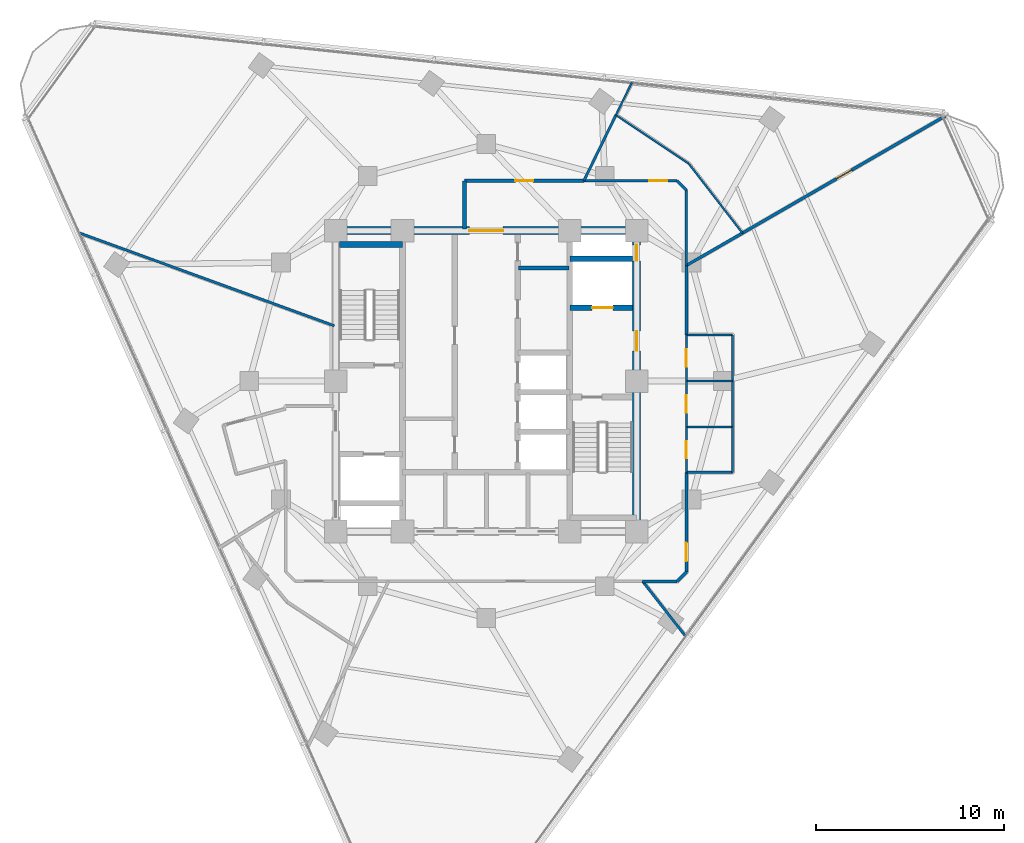
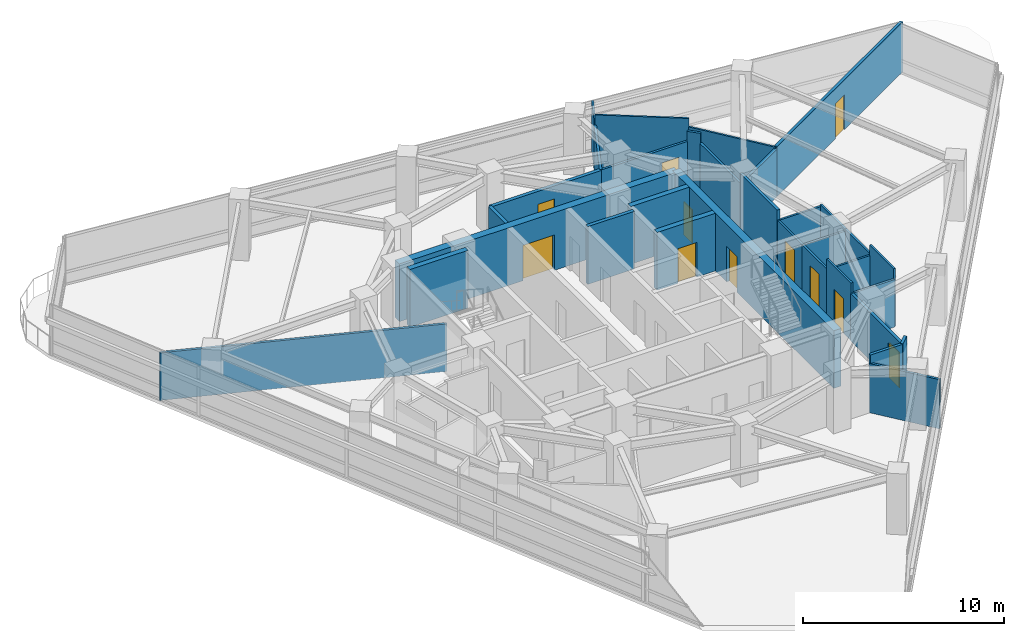
# One storey, part 9 of 14: 33 walls, 11 doors, 11 openings.
"""IFC4 building model written with IfcOpenShell, lengths in metres."""

from ifc_helpers import new_model, si_unit, direction, frame, frame_2d, origin, place, context, subcontext, project, spatial, rectangle, extrude, material, layer, layer_set, type_object, element, fill, save


model = new_model("IFC4")

# Units and contexts
model_context = context("Model", 3, precision=1e-05, world=origin(), true_north=direction((0.0, 1.0)))
body_context = subcontext(model_context, "Body", "Model", "MODEL_VIEW")
ifc_project = project(units=[si_unit("LENGTHUNIT", "METRE"), si_unit("AREAUNIT", "SQUARE_METRE"), si_unit("VOLUMEUNIT", "CUBIC_METRE"), si_unit("PLANEANGLEUNIT", "RADIAN"), si_unit("MASSUNIT", "GRAM", prefix="KILO")], contexts=[model_context])

# Site, building, storey
site_placement = place(None, origin())
site = spatial("IfcSite", under=ifc_project, at=site_placement, CompositionType="ELEMENT")
building_placement = place(site_placement, origin())
building = spatial("IfcBuilding", under=site, at=building_placement, Name="Terralouvre Media Tower", CompositionType="ELEMENT")
storey_placement = place(building_placement, frame((0.0, 0.0, 241.10009765625)))
storey = spatial("IfcBuildingStorey", under=building, at=storey_placement, Name="L62", CompositionType="ELEMENT", Elevation=241.10009765625)

# Wall
ifc_material_1 = material(Name="Concrete C50/60", Category="concrete")
ifc_layer_1 = layer(ifc_material_1, 0.300048828125, Name="Core Internal Shaft Wall CW-300")
ifc_layer_set_1 = layer_set([ifc_layer_1], Name="Concrete C50/60")
wall_type_1 = type_object("IfcWallType", Name="Core Internal Shaft Wall CW-300", PredefinedType="SHEAR", material=ifc_layer_set_1)
wall_1_placement = place(storey_placement, frame((-7.7900390625, 7.260009765625, 0.0), z_axis=(0.0, 0.0, 1.0), x_axis=(1.0, 0.0, 0.0)))
element("IfcWall", 1, at=wall_1_placement, inside=storey, type_object=wall_type_1, Name="L62 Core Shaft Wall ST1F", PredefinedType="SHEAR", context=body_context, shape_type="SweptSolid", body=[
    extrude(rectangle(XDim=3.340087890625, YDim=0.300048828125, at=frame_2d((1.669921875, 0.0))), origin(), (0.0, 0.0, 1.0), 3.5),
])

# Wall, opening, door
wall_2_placement = place(storey_placement, frame((4.449951171875, 3.89990234375, 0.0), z_axis=(0.0, 0.0, 1.0), x_axis=(1.0, 0.0, 0.0)))
wall_2 = element("IfcWall", 2, at=wall_2_placement, inside=storey, type_object=wall_type_1, Name="L62 Core Shaft Wall FF2S", PredefinedType="SHEAR", context=body_context, shape_type="SweptSolid", body=[
    extrude(rectangle(XDim=3.340087890625, YDim=0.300048828125, at=frame_2d((1.669921875, 0.0))), origin(), (0.0, 0.0, 1.0), 3.5),
])
opening_1_placement = place(wall_2_placement, frame((1.179931640625, 0.0, 0.0)))
opening_1 = element("IfcOpeningElement", 3, at=opening_1_placement, cuts=wall_2, Name="Opening LD-FF", PredefinedType="OPENING", context=body_context, shape_type="SweptSolid", body=[
    extrude(rectangle(XDim=1.10009765625, YDim=2.10009765625, at=frame_2d((0.550048828125, 1.050048828125))), frame((0.0, 0.159912109375, 0.0), z_axis=(0.0, -1.0, 0.0), x_axis=(1.0, 0.0, 0.0)), (0.0, 0.0, 1.0), 0.320068359375),
])
ifc_material_2 = material(Name="Stainless steel 316 handrail and balustrade", Category="steel")
door_type_1 = type_object("IfcDoorType", Name="Firefighting Lift Sliding Landing Door LD-FF", OperationType="SLIDING_TO_LEFT", PredefinedType="DOOR", material=ifc_material_2)
door_1_placement = place(opening_1_placement, origin())
door_1 = element("IfcDoor", 4, at=door_1_placement, inside=storey, type_object=door_type_1, Name="L62 Firefighting Lift FFL-02 Landing Door", OperationType="SLIDING_TO_LEFT", OverallHeight=2.10009765625, OverallWidth=1.10009765625, PredefinedType="DOOR", context=body_context, shape_type="SweptSolid", body=[
    extrude(rectangle(XDim=1.10009765625, YDim=2.10009765625, at=frame_2d((0.550048828125, 1.050048828125))), frame((0.0, 0.02490234375, 0.0), z_axis=(0.0, -1.0, 0.0), x_axis=(1.0, 0.0, 0.0)), (0.0, 0.0, 1.0), 0.050048828125),
])
fill(opening_1, door_1)

# Wall
wall_3_placement = place(storey_placement, frame((4.449951171875, 6.5, 0.0), z_axis=(0.0, 0.0, 1.0), x_axis=(1.0, 0.0, 0.0)))
element("IfcWall", 5, at=wall_3_placement, inside=storey, type_object=wall_type_1, Name="L62 Core Shaft Wall FF2N", PredefinedType="SHEAR", context=body_context, shape_type="SweptSolid", body=[
    extrude(rectangle(XDim=3.340087890625, YDim=0.300048828125, at=frame_2d((1.669921875, 0.0))), origin(), (0.0, 0.0, 1.0), 3.5),
])

# Wall, openings, doors
ifc_material_3 = material(Name="Concrete C60/75", Category="concrete")
ifc_layer_2 = layer(ifc_material_3, 0.419921875, Name="Core Reinforced Concrete Shear Wall CW-420")
ifc_layer_set_2 = layer_set([ifc_layer_2], Name="Concrete C60/75")
wall_type_2 = type_object("IfcWallType", Name="Core Reinforced Concrete Shear Wall CW-420", PredefinedType="SHEAR", material=ifc_layer_set_2)
wall_4_placement = place(storey_placement, frame((8.0, -8.0, 0.0), z_axis=(0.0, 0.0, 1.0), x_axis=(0.0, 1.0, 0.0)))
wall_4 = element("IfcWall", 6, at=wall_4_placement, inside=storey, type_object=wall_type_2, Name="L62 E Core Shear Wall", PredefinedType="SHEAR", context=body_context, shape_type="SweptSolid", body=[
    extrude(rectangle(XDim=16.0, YDim=0.419921875, at=frame_2d((8.0, 0.0))), origin(), (0.0, 0.0, 1.0), 3.5),
])
opening_2_placement = place(wall_4_placement, frame((9.60009765625, 0.0, 0.0)))
opening_2 = element("IfcOpeningElement", 7, at=opening_2_placement, cuts=wall_4, Name="Opening FD-01-105X215", PredefinedType="OPENING", context=body_context, shape_type="SweptSolid", body=[
    extrude(rectangle(XDim=1.050048828125, YDim=2.14990234375, at=frame_2d((0.52490234375, 1.074951171875))), frame((0.0, 0.219970703125, 0.0), z_axis=(0.0, -1.0, 0.0), x_axis=(1.0, 0.0, 0.0)), (0.0, 0.0, 1.0), 0.43994140625),
])
opening_3_placement = place(wall_4_placement, frame((14.388671875, 0.0, 0.0)))
opening_3 = element("IfcOpeningElement", 8, at=opening_3_placement, cuts=wall_4, Name="Opening TD-R1", PredefinedType="OPENING", context=body_context, shape_type="SweptSolid", body=[
    extrude(rectangle(XDim=0.85009765625, YDim=2.02001953125, at=frame_2d((0.425048828125, 1.010009765625))), frame((0.0, 0.219970703125, 0.0), z_axis=(0.0, -1.0, 0.0), x_axis=(1.0, 0.0, 0.0)), (0.0, 0.0, 1.0), 0.43994140625),
])
ifc_material_4 = material(Name="Galvanised steel fire-resisting leaf", Category="steel")
door_type_2 = type_object("IfcDoorType", Name="Riser Inspection Access Trapdoor TD-R1", OperationType="NOTDEFINED", PredefinedType="TRAPDOOR", material=ifc_material_4)
door_2_placement = place(opening_3_placement, origin())
door_2 = element("IfcDoor", 9, at=door_2_placement, inside=storey, type_object=door_type_2, Name="L62 East Comms Riser Access Trapdoor", OperationType="SINGLE_SWING_RIGHT", OverallHeight=2.02001953125, OverallWidth=0.85009765625, PredefinedType="TRAPDOOR", context=body_context, shape_type="SweptSolid", body=[
    extrude(rectangle(XDim=0.85009765625, YDim=2.02001953125, at=frame_2d((0.425048828125, 1.010009765625))), frame((0.0, 0.02490234375, 0.0), z_axis=(0.0, -1.0, 0.0), x_axis=(1.0, 0.0, 0.0)), (0.0, 0.0, 1.0), 0.050048828125),
])
fill(opening_3, door_2)
ifc_material_5 = material(Name="Galvanised steel fire-resisting leaf", Category="steel")
door_type_3 = type_object("IfcDoorType", Name="Stair and Firefighting Lobby Fire Door FD-01 (1050x2150)", OperationType="NOTDEFINED", PredefinedType="DOOR", material=ifc_material_5)
door_3_placement = place(opening_2_placement, origin())
door_3 = element("IfcDoor", 10, at=door_3_placement, inside=storey, type_object=door_type_3, Name="L62 East Firefighting Lobby Entry Door", OperationType="SINGLE_SWING_LEFT", OverallHeight=2.14990234375, OverallWidth=1.050048828125, PredefinedType="DOOR", context=body_context, shape_type="SweptSolid", body=[
    extrude(rectangle(XDim=1.050048828125, YDim=2.14990234375, at=frame_2d((0.52490234375, 1.074951171875))), frame((0.0, 0.02490234375, 0.0), z_axis=(0.0, -1.0, 0.0), x_axis=(1.0, 0.0, 0.0)), (0.0, 0.0, 1.0), 0.050048828125),
])
fill(opening_2, door_3)

# Wall, opening, door
wall_5_placement = place(storey_placement, frame((-8.0, 8.0, 0.0), z_axis=(0.0, 0.0, 1.0), x_axis=(1.0, 0.0, 0.0)))
wall_5 = element("IfcWall", 11, at=wall_5_placement, inside=storey, type_object=wall_type_2, Name="L62 N Core Shear Wall", PredefinedType="SHEAR", context=body_context, shape_type="SweptSolid", body=[
    extrude(rectangle(XDim=16.0, YDim=0.419921875, at=frame_2d((8.0, 0.0))), origin(), (0.0, 0.0, 1.0), 3.5),
])
opening_4_placement = place(wall_5_placement, frame((7.10009765625, 0.0, 0.0)))
opening_4 = element("IfcOpeningElement", 12, at=opening_4_placement, cuts=wall_5, Name="Opening FD-03", PredefinedType="OPENING", context=body_context, shape_type="SweptSolid", body=[
    extrude(rectangle(XDim=1.800048828125, YDim=2.14990234375, at=frame_2d((0.89990234375, 1.074951171875))), frame((0.0, 0.219970703125, 0.0), z_axis=(0.0, -1.0, 0.0), x_axis=(1.0, 0.0, 0.0)), (0.0, 0.0, 1.0), 0.43994140625),
])
ifc_material_6 = material(Name="Galvanised steel fire-resisting leaf", Category="steel")
door_type_4 = type_object("IfcDoorType", Name="Corridor Smoke-Control Double Door FD-03", OperationType="DOUBLE_DOOR_SINGLE_SWING", PredefinedType="DOOR", material=ifc_material_6)
door_4_placement = place(opening_4_placement, origin())
door_4 = element("IfcDoor", 13, at=door_4_placement, inside=storey, type_object=door_type_4, Name="L62 Central Lift Lobby Portal Door", OperationType="DOUBLE_DOOR_SINGLE_SWING", OverallHeight=2.14990234375, OverallWidth=1.800048828125, PredefinedType="DOOR", context=body_context, shape_type="SweptSolid", body=[
    extrude(rectangle(XDim=1.800048828125, YDim=2.14990234375, at=frame_2d((0.89990234375, 1.074951171875))), frame((0.0, 0.02490234375, 0.0), z_axis=(0.0, -1.0, 0.0), x_axis=(1.0, 0.0, 0.0)), (0.0, 0.0, 1.0), 0.050048828125),
])
fill(opening_4, door_4)

# Walls
ifc_material_7 = material(Name="Low-iron laminated double glazing with solar-control coating", Category="glass")
ifc_layer_3 = layer(ifc_material_7, 0.10009765625, Name="Demountable Glazed Office Partition PT-GL100")
ifc_layer_set_3 = layer_set([ifc_layer_3], Name="Low-iron laminated double glazing with solar-control coating")
wall_type_3 = type_object("IfcWallType", Name="Demountable Glazed Office Partition PT-GL100", PredefinedType="MOVABLE", material=ifc_layer_set_3)
wall_6_placement = place(storey_placement, frame((6.89892578125, 14.14501953125, 0.0), z_axis=(0.0, 0.0, 1.0), x_axis=(0.831510168033, -0.555509532283, 0.0)))
element("IfcWall", 14, at=wall_6_placement, inside=storey, type_object=wall_type_3, Name="L62 Interior Partition 039", PredefinedType="MOVABLE", context=body_context, shape_type="SweptSolid", body=[
    extrude(rectangle(XDim=4.66259765625, YDim=0.10009765625, at=frame_2d((2.331298828125, 0.0))), origin(), (0.0, 0.0, 1.0), 3.5),
])
wall_7_placement = place(storey_placement, frame((10.77587890625, 11.554931640625, 0.0), z_axis=(0.0, 0.0, 1.0), x_axis=(0.612213330569, -0.790692631731, 0.0)))
element("IfcWall", 15, at=wall_7_placement, inside=storey, type_object=wall_type_3, Name="L62 Interior Partition 040", PredefinedType="MOVABLE", context=body_context, shape_type="SweptSolid", body=[
    extrude(rectangle(XDim=4.661865234375, YDim=0.10009765625, at=frame_2d((2.3310546875, 0.0))), origin(), (0.0, 0.0, 1.0), 2.98486328125),
])
wall_8_placement = place(storey_placement, frame((7.74658203125, 15.882080078125, 0.0), z_axis=(0.0, 0.0, 1.0), x_axis=(-0.438553034404, -0.898705310998, 0.0)))
element("IfcWall", 16, at=wall_8_placement, inside=storey, type_object=wall_type_3, Name="L62 Interior Partition 041", PredefinedType="MOVABLE", context=body_context, shape_type="SweptSolid", body=[
    extrude(rectangle(XDim=1.932861328125, YDim=0.10009765625, at=frame_2d((0.96630859375, 0.0))), origin(), (0.0, 0.0, 1.0), 3.034912109375),
])
ifc_material_8 = material(Name="Fire-rated gypsum board drywall partition")
ifc_layer_4 = layer(ifc_material_8, 0.199951171875, Name="Fire-Rated Shaft and Lobby Partition FW-200")
ifc_layer_set_4 = layer_set([ifc_layer_4], Name="Fire-rated gypsum board drywall partition")
wall_type_4 = type_object("IfcWallType", Name="Fire-Rated Shaft and Lobby Partition FW-200", PredefinedType="SOLIDWALL", material=ifc_layer_set_4)
wall_9_placement = place(storey_placement, frame((1.719970703125, 6.010009765625, 0.0), z_axis=(0.0, 0.0, 1.0), x_axis=(1.0, 0.0, 0.0)))
element("IfcWall", 17, at=wall_9_placement, inside=storey, type_object=wall_type_4, Name="L62 Core East Sub-Partition 1", PredefinedType="SOLIDWALL", context=body_context, shape_type="SweptSolid", body=[
    extrude(rectangle(XDim=2.679931640625, YDim=0.199951171875, at=frame_2d((1.33984375, 0.0))), origin(), (0.0, 0.0, 1.0), 3.5),
])

# Wall, opening, door
wall_10_placement = place(storey_placement, frame((5.194091796875, 10.64990234375, 0.0), z_axis=(0.0, 0.0, 1.0), x_axis=(-1.0, 0.0, 0.0)))
wall_10 = element("IfcWall", 18, at=wall_10_placement, inside=storey, type_object=wall_type_4, Name="L62 Interior Partition 020", PredefinedType="SOLIDWALL", context=body_context, shape_type="SweptSolid", body=[
    extrude(rectangle(XDim=6.343994140625, YDim=0.199951171875, at=frame_2d((3.171875, 0.0))), origin(), (0.0, 0.0, 1.0), 2.885009765625),
])
opening_5_placement = place(wall_10_placement, frame((2.697021484375, 0.0, 0.0)))
opening_5 = element("IfcOpeningElement", 19, at=opening_5_placement, cuts=wall_10, Name="Opening FD-02-95X210", PredefinedType="OPENING", context=body_context, shape_type="SweptSolid", body=[
    extrude(rectangle(XDim=0.949951171875, YDim=2.10009765625, at=frame_2d((0.47509765625, 1.050048828125))), frame((0.0, 0.10986328125, 0.0), z_axis=(0.0, -1.0, 0.0), x_axis=(1.0, 0.0, 0.0)), (0.0, 0.0, 1.0), 0.219970703125),
])
ifc_material_9 = material(Name="Galvanised steel fire-resisting leaf", Category="steel")
door_type_5 = type_object("IfcDoorType", Name="Plant and Riser Fire Door FD-02 (950x2100)", OperationType="NOTDEFINED", PredefinedType="DOOR", material=ifc_material_9)
door_5_placement = place(opening_5_placement, origin())
door_5 = element("IfcDoor", 20, at=door_5_placement, inside=storey, type_object=door_type_5, Name="L62 Broadcast Replay Server Room 8 Door", OperationType="SINGLE_SWING_RIGHT", OverallHeight=2.10009765625, OverallWidth=0.949951171875, PredefinedType="DOOR", context=body_context, shape_type="SweptSolid", body=[
    extrude(rectangle(XDim=0.949951171875, YDim=2.10009765625, at=frame_2d((0.47509765625, 1.050048828125))), frame((0.0, 0.02490234375, 0.0), z_axis=(0.0, -1.0, 0.0), x_axis=(1.0, 0.0, 0.0)), (0.0, 0.0, 1.0), 0.050048828125),
])
fill(opening_5, door_5)

# Walls
wall_11_placement = place(storey_placement, frame((-1.14990234375, 10.64990234375, 0.0), z_axis=(0.0, 0.0, 1.0), x_axis=(0.0, -1.0, 0.0)))
element("IfcWall", 21, at=wall_11_placement, inside=storey, type_object=wall_type_4, Name="L62 Interior Partition 021", PredefinedType="SOLIDWALL", context=body_context, shape_type="SweptSolid", body=[
    extrude(rectangle(XDim=2.56982421875, YDim=0.199951171875, at=frame_2d((1.284912109375, 0.0))), origin(), (0.0, 0.0, 1.0), 2.885009765625),
])
ifc_material_10 = material(Name="Fire-rated gypsum board drywall partition")
ifc_layer_5 = layer(ifc_material_10, 0.135009765625, Name="Newsroom Acoustic Partition PT-135")
ifc_layer_set_5 = layer_set([ifc_layer_5], Name="Fire-rated gypsum board drywall partition")
wall_type_5 = type_object("IfcWallType", Name="Newsroom Acoustic Partition PT-135", PredefinedType="PARTITIONING", material=ifc_layer_set_5)
wall_12_placement = place(storey_placement, frame((10.64990234375, 6.14892578125, 0.0), z_axis=(0.0, 0.0, 1.0), x_axis=(0.0, 1.0, 0.0)))
element("IfcWall", 22, at=wall_12_placement, inside=storey, type_object=wall_type_5, Name="L62 Interior Partition 017", PredefinedType="PARTITIONING", context=body_context, shape_type="SweptSolid", body=[
    extrude(rectangle(XDim=4.0009765625, YDim=0.135009765625, at=frame_2d((2.00048828125, 0.0))), origin(), (0.0, 0.0, 1.0), 2.885009765625),
])
wall_13_placement = place(storey_placement, frame((10.64990234375, 10.14990234375, 0.0), z_axis=(0.0, 0.0, 1.0), x_axis=(-0.707106781187, 0.707106781187, 0.0)))
element("IfcWall", 23, at=wall_13_placement, inside=storey, type_object=wall_type_5, Name="L62 Interior Partition 018", PredefinedType="PARTITIONING", context=body_context, shape_type="SweptSolid", body=[
    extrude(rectangle(XDim=0.70703125, YDim=0.135009765625, at=frame_2d((0.353515625, 0.0))), origin(), (0.0, 0.0, 1.0), 3.5),
])

# Wall, opening, door
wall_14_placement = place(storey_placement, frame((10.14990234375, 10.64990234375, 0.0), z_axis=(0.0, 0.0, 1.0), x_axis=(-1.0, 0.0, 0.0)))
wall_14 = element("IfcWall", 24, at=wall_14_placement, inside=storey, type_object=wall_type_5, Name="L62 Interior Partition 019", PredefinedType="PARTITIONING", context=body_context, shape_type="SweptSolid", body=[
    extrude(rectangle(XDim=4.955810546875, YDim=0.135009765625, at=frame_2d((2.47802734375, 0.0))), origin(), (0.0, 0.0, 1.0), 2.885009765625),
])
opening_6_placement = place(wall_14_placement, frame((0.51611328125, 0.0, 0.0)))
opening_6 = element("IfcOpeningElement", 25, at=opening_6_placement, cuts=wall_14, Name="Opening ID-02-95X210", PredefinedType="OPENING", context=body_context, shape_type="SweptSolid", body=[
    extrude(rectangle(XDim=0.949951171875, YDim=2.10009765625, at=frame_2d((0.47509765625, 1.050048828125))), frame((0.0, 0.077392578125, 0.0), z_axis=(0.0, -1.0, 0.0), x_axis=(1.0, 0.0, 0.0)), (0.0, 0.0, 1.0), 0.155029296875),
])
ifc_material_11 = material(Name="Engineered hardwood acoustic timber leaf", Category="wood")
door_type_6 = type_object("IfcDoorType", Name="Office and Meeting Room Door ID-02 (950x2100)", OperationType="NOTDEFINED", PredefinedType="DOOR", material=ifc_material_11)
door_6_placement = place(opening_6_placement, origin())
door_6 = element("IfcDoor", 26, at=door_6_placement, inside=storey, type_object=door_type_6, Name="L62 Presenter Makeup and Wardrobe Closet 7 Door", OperationType="SINGLE_SWING_LEFT", OverallHeight=2.10009765625, OverallWidth=0.949951171875, PredefinedType="DOOR", context=body_context, shape_type="SweptSolid", body=[
    extrude(rectangle(XDim=0.949951171875, YDim=2.10009765625, at=frame_2d((0.47509765625, 1.050048828125))), frame((0.0, 0.02490234375, 0.0), z_axis=(0.0, -1.0, 0.0), x_axis=(1.0, 0.0, 0.0)), (0.0, 0.0, 1.0), 0.050048828125),
])
fill(opening_6, door_6)

# Walls
wall_15_placement = place(storey_placement, frame((-8.080078125, 2.940673828125, 0.0), z_axis=(0.0, 0.0, 1.0), x_axis=(-0.939685602892, 0.342039424216, 0.0)))
element("IfcWall", 27, at=wall_15_placement, inside=storey, type_object=wall_type_5, Name="L62 Interior Partition 024", PredefinedType="PARTITIONING", context=body_context, shape_type="SweptSolid", body=[
    extrude(rectangle(XDim=14.484619140625, YDim=0.135009765625, at=frame_2d((7.2421875, 0.0))), origin(), (0.0, 0.0, 1.0), 2.885009765625),
])
wall_16_placement = place(storey_placement, frame((10.634765625, -13.612060546875, 0.0), z_axis=(0.0, 0.0, 1.0), x_axis=(-0.61556715013, 0.788084439436, 0.0)))
element("IfcWall", 28, at=wall_16_placement, inside=storey, type_object=wall_type_5, Name="L62 Interior Partition 029", PredefinedType="PARTITIONING", context=body_context, shape_type="SweptSolid", body=[
    extrude(rectangle(XDim=3.7587890625, YDim=0.135009765625, at=frame_2d((1.87939453125, 0.0))), origin(), (0.0, 0.0, 1.0), 2.98486328125),
])
wall_17_placement = place(storey_placement, frame((6.89892578125, 14.14501953125, 0.0), z_axis=(0.0, 0.0, 1.0), x_axis=(-0.438402604201, -0.898778702813, 0.0)))
element("IfcWall", 29, at=wall_17_placement, inside=storey, type_object=wall_type_5, Name="L62 Interior Partition 042", PredefinedType="PARTITIONING", context=body_context, shape_type="SweptSolid", body=[
    extrude(rectangle(XDim=3.888671875, YDim=0.135009765625, at=frame_2d((1.9443359375, 0.0))), origin(), (0.0, 0.0, 1.0), 2.885009765625),
])

# Wall, opening, door
ifc_material_12 = material(Name="Fire-rated gypsum board drywall partition")
ifc_layer_6 = layer(ifc_material_12, 0.114990234375, Name="Restroom and Pantry Partition PT-115")
ifc_layer_set_6 = layer_set([ifc_layer_6], Name="Fire-rated gypsum board drywall partition")
wall_type_6 = type_object("IfcWallType", Name="Restroom and Pantry Partition PT-115", PredefinedType="PARTITIONING", material=ifc_layer_set_6)
wall_18_placement = place(storey_placement, frame((10.64990234375, -4.85009765625, 0.0), z_axis=(0.0, 0.0, 1.0), x_axis=(0.0, 1.0, 0.0)))
wall_18 = element("IfcWall", 30, at=wall_18_placement, inside=storey, type_object=wall_type_6, Name="L62 Interior Partition 010", PredefinedType="PARTITIONING", context=body_context, shape_type="SweptSolid", body=[
    extrude(rectangle(XDim=2.400146484375, YDim=0.114990234375, at=frame_2d((1.2001953125, 0.0))), origin(), (0.0, 0.0, 1.0), 3.5),
])
opening_7_placement = place(wall_18_placement, frame((0.739990234375, 0.0, 0.0)))
opening_7 = element("IfcOpeningElement", 31, at=opening_7_placement, cuts=wall_18, Name="Opening ID-03-92X210", PredefinedType="OPENING", context=body_context, shape_type="SweptSolid", body=[
    extrude(rectangle(XDim=0.919921875, YDim=2.10009765625, at=frame_2d((0.4599609375, 1.050048828125))), frame((0.0, 0.0673828125, 0.0), z_axis=(0.0, -1.0, 0.0), x_axis=(1.0, 0.0, 0.0)), (0.0, 0.0, 1.0), 0.135009765625),
])
ifc_material_13 = material(Name="Engineered hardwood acoustic timber leaf", Category="wood")
door_type_7 = type_object("IfcDoorType", Name="Accessible Restroom and Suite Door ID-03 (920x2100)", OperationType="NOTDEFINED", PredefinedType="DOOR", material=ifc_material_13)
door_7_placement = place(opening_7_placement, origin())
door_7 = element("IfcDoor", 32, at=door_7_placement, inside=storey, type_object=door_type_7, Name="L62 Male Restroom WC Door", OperationType="SINGLE_SWING_LEFT", OverallHeight=2.10009765625, OverallWidth=0.919921875, PredefinedType="DOOR", context=body_context, shape_type="SweptSolid", body=[
    extrude(rectangle(XDim=0.919921875, YDim=2.10009765625, at=frame_2d((0.4599609375, 1.050048828125))), frame((0.0, 0.02490234375, 0.0), z_axis=(0.0, -1.0, 0.0), x_axis=(1.0, 0.0, 0.0)), (0.0, 0.0, 1.0), 0.050048828125),
])
fill(opening_7, door_7)

wall_19_placement = place(storey_placement, frame((10.64990234375, -2.449951171875, 0.0), z_axis=(0.0, 0.0, 1.0), x_axis=(0.0, 1.0, 0.0)))
wall_19 = element("IfcWall", 33, at=wall_19_placement, inside=storey, type_object=wall_type_6, Name="L62 Interior Partition 011", PredefinedType="PARTITIONING", context=body_context, shape_type="SweptSolid", body=[
    extrude(rectangle(XDim=2.449951171875, YDim=0.114990234375, at=frame_2d((1.22509765625, 0.0))), origin(), (0.0, 0.0, 1.0), 2.885009765625),
])
opening_8_placement = place(wall_19_placement, frame((0.764892578125, 0.0, 0.0)))
opening_8 = element("IfcOpeningElement", 34, at=opening_8_placement, cuts=wall_19, Name="Opening ID-03-92X210", PredefinedType="OPENING", context=body_context, shape_type="SweptSolid", body=[
    extrude(rectangle(XDim=0.919921875, YDim=2.10009765625, at=frame_2d((0.4599609375, 1.050048828125))), frame((0.0, 0.0673828125, 0.0), z_axis=(0.0, -1.0, 0.0), x_axis=(1.0, 0.0, 0.0)), (0.0, 0.0, 1.0), 0.135009765625),
])
door_8_placement = place(opening_8_placement, origin())
door_8 = element("IfcDoor", 35, at=door_8_placement, inside=storey, type_object=door_type_7, Name="L62 Female Restroom WC Door", OperationType="SINGLE_SWING_RIGHT", OverallHeight=2.10009765625, OverallWidth=0.919921875, PredefinedType="DOOR", context=body_context, shape_type="SweptSolid", body=[
    extrude(rectangle(XDim=0.919921875, YDim=2.10009765625, at=frame_2d((0.4599609375, 1.050048828125))), frame((0.0, 0.02490234375, 0.0), z_axis=(0.0, -1.0, 0.0), x_axis=(1.0, 0.0, 0.0)), (0.0, 0.0, 1.0), 0.050048828125),
])
fill(opening_8, door_8)

wall_20_placement = place(storey_placement, frame((10.64990234375, 0.0, 0.0), z_axis=(0.0, 0.0, 1.0), x_axis=(0.0, 1.0, 0.0)))
wall_20 = element("IfcWall", 36, at=wall_20_placement, inside=storey, type_object=wall_type_6, Name="L62 Interior Partition 012", PredefinedType="PARTITIONING", context=body_context, shape_type="SweptSolid", body=[
    extrude(rectangle(XDim=2.449951171875, YDim=0.114990234375, at=frame_2d((1.22509765625, 0.0))), origin(), (0.0, 0.0, 1.0), 2.885009765625),
])
opening_9_placement = place(wall_20_placement, frame((0.764892578125, 0.0, 0.0)))
opening_9 = element("IfcOpeningElement", 37, at=opening_9_placement, cuts=wall_20, Name="Opening ID-03-92X210", PredefinedType="OPENING", context=body_context, shape_type="SweptSolid", body=[
    extrude(rectangle(XDim=0.919921875, YDim=2.10009765625, at=frame_2d((0.4599609375, 1.050048828125))), frame((0.0, 0.0673828125, 0.0), z_axis=(0.0, -1.0, 0.0), x_axis=(1.0, 0.0, 0.0)), (0.0, 0.0, 1.0), 0.135009765625),
])
door_9_placement = place(opening_9_placement, origin())
door_9 = element("IfcDoor", 38, at=door_9_placement, inside=storey, type_object=door_type_7, Name="L62 Accessible Unisex WC Door", OperationType="SINGLE_SWING_LEFT", OverallHeight=2.10009765625, OverallWidth=0.919921875, PredefinedType="DOOR", context=body_context, shape_type="SweptSolid", body=[
    extrude(rectangle(XDim=0.919921875, YDim=2.10009765625, at=frame_2d((0.4599609375, 1.050048828125))), frame((0.0, 0.02490234375, 0.0), z_axis=(0.0, -1.0, 0.0), x_axis=(1.0, 0.0, 0.0)), (0.0, 0.0, 1.0), 0.050048828125),
])
fill(opening_9, door_9)

# Walls
for number, where, z_axis, x_axis, name in (
    (39, (13.10009765625, -2.449951171875, 0.0), (0.0, 0.0, 1.0), (-1.0, 0.0, 0.0), "L62 Interior Partition 030"),
    (40, (10.64990234375, -4.85009765625, 0.0), (0.0, 0.0, 1.0), (1.0, 0.0, 0.0), "L62 Interior Partition 031"),
):
    element("IfcWall", number, at=place(storey_placement, frame(where, z_axis=z_axis, x_axis=x_axis)), inside=storey, type_object=wall_type_6, Name=name, PredefinedType="PARTITIONING", context=body_context, shape_type="SweptSolid", body=[
        extrude(rectangle(XDim=2.4501953125, YDim=0.114990234375, at=frame_2d((1.22509765625, 0.0))), origin(), (0.0, 0.0, 1.0), 2.885009765625),
    ])
wall_21_placement = place(storey_placement, frame((13.10009765625, -4.85009765625, 0.0), z_axis=(0.0, 0.0, 1.0), x_axis=(0.0, 1.0, 0.0)))
element("IfcWall", 41, at=wall_21_placement, inside=storey, type_object=wall_type_6, Name="L62 Interior Partition 032", PredefinedType="PARTITIONING", context=body_context, shape_type="SweptSolid", body=[
    extrude(rectangle(XDim=2.400146484375, YDim=0.114990234375, at=frame_2d((1.2001953125, 0.0))), origin(), (0.0, 0.0, 1.0), 3.5),
])
wall_22_placement = place(storey_placement, frame((13.10009765625, 0.0, 0.0), z_axis=(0.0, 0.0, 1.0), x_axis=(-1.0, 0.0, 0.0)))
element("IfcWall", 42, at=wall_22_placement, inside=storey, type_object=wall_type_6, Name="L62 Interior Partition 033", PredefinedType="PARTITIONING", context=body_context, shape_type="SweptSolid", body=[
    extrude(rectangle(XDim=2.4501953125, YDim=0.114990234375, at=frame_2d((1.22509765625, 0.0))), origin(), (0.0, 0.0, 1.0), 2.885009765625),
])
for number, where, z_axis, x_axis, name in (
    (43, (13.10009765625, -2.449951171875, 0.0), (0.0, 0.0, 1.0), (0.0, 1.0, 0.0), "L62 Interior Partition 034"),
    (44, (13.10009765625, 0.0, 0.0), (0.0, 0.0, 1.0), (0.0, 1.0, 0.0), "L62 Interior Partition 035"),
):
    element("IfcWall", number, at=place(storey_placement, frame(where, z_axis=z_axis, x_axis=x_axis)), inside=storey, type_object=wall_type_6, Name=name, PredefinedType="PARTITIONING", context=body_context, shape_type="SweptSolid", body=[
        extrude(rectangle(XDim=2.449951171875, YDim=0.114990234375, at=frame_2d((1.22509765625, 0.0))), origin(), (0.0, 0.0, 1.0), 2.98486328125),
    ])
wall_23_placement = place(storey_placement, frame((13.10009765625, 2.449951171875, 0.0), z_axis=(0.0, 0.0, 1.0), x_axis=(-1.0, 0.0, 0.0)))
element("IfcWall", 45, at=wall_23_placement, inside=storey, type_object=wall_type_6, Name="L62 Interior Partition 036", PredefinedType="PARTITIONING", context=body_context, shape_type="SweptSolid", body=[
    extrude(rectangle(XDim=2.4501953125, YDim=0.114990234375, at=frame_2d((1.22509765625, 0.0))), origin(), (0.0, 0.0, 1.0), 2.885009765625),
])
ifc_material_14 = material(Name="Fire-rated gypsum board drywall partition")
ifc_layer_7 = layer(ifc_material_14, 0.159912109375, Name="Studio Acoustic Rated Partition PT-160")
ifc_layer_set_7 = layer_set([ifc_layer_7], Name="Fire-rated gypsum board drywall partition")
wall_type_7 = type_object("IfcWallType", Name="Studio Acoustic Rated Partition PT-160", PredefinedType="PARTITIONING", material=ifc_layer_set_7)
wall_24_placement = place(storey_placement, frame((8.321044921875, -10.64990234375, 0.0), z_axis=(0.0, 0.0, 1.0), x_axis=(1.0, 0.0, 0.0)))
element("IfcWall", 46, at=wall_24_placement, inside=storey, type_object=wall_type_7, Name="L62 Interior Partition 013", PredefinedType="PARTITIONING", context=body_context, shape_type="SweptSolid", body=[
    extrude(rectangle(XDim=1.828857421875, YDim=0.159912109375, at=frame_2d((0.91455078125, 0.0))), origin(), (0.0, 0.0, 1.0), 3.5),
])
wall_25_placement = place(storey_placement, frame((10.14990234375, -10.64990234375, 0.0), z_axis=(0.0, 0.0, 1.0), x_axis=(0.707106781187, 0.707106781187, 0.0)))
element("IfcWall", 47, at=wall_25_placement, inside=storey, type_object=wall_type_7, Name="L62 Interior Partition 014", PredefinedType="PARTITIONING", context=body_context, shape_type="SweptSolid", body=[
    extrude(rectangle(XDim=0.70703125, YDim=0.159912109375, at=frame_2d((0.353515625, 0.0))), origin(), (0.0, 0.0, 1.0), 3.5),
])

# Wall, opening, door
wall_26_placement = place(storey_placement, frame((10.64990234375, -10.14990234375, 0.0), z_axis=(0.0, 0.0, 1.0), x_axis=(0.0, 1.0, 0.0)))
wall_26 = element("IfcWall", 48, at=wall_26_placement, inside=storey, type_object=wall_type_7, Name="L62 Interior Partition 015", PredefinedType="PARTITIONING", context=body_context, shape_type="SweptSolid", body=[
    extrude(rectangle(XDim=5.2998046875, YDim=0.159912109375, at=frame_2d((2.64990234375, 0.0))), origin(), (0.0, 0.0, 1.0), 2.885009765625),
])
opening_10_placement = place(wall_26_placement, frame((0.56005859375, 0.0, 0.0)))
opening_10 = element("IfcOpeningElement", 49, at=opening_10_placement, cuts=wall_26, Name="Opening ID-01-100X215", PredefinedType="OPENING", context=body_context, shape_type="SweptSolid", body=[
    extrude(rectangle(XDim=1.0, YDim=2.14990234375, at=frame_2d((0.5, 1.074951171875))), frame((0.0, 0.08984375, 0.0), z_axis=(0.0, -1.0, 0.0), x_axis=(1.0, 0.0, 0.0)), (0.0, 0.0, 1.0), 0.179931640625),
])
ifc_material_15 = material(Name="Engineered hardwood acoustic timber leaf", Category="wood")
door_type_8 = type_object("IfcDoorType", Name="Broadcast Studio Acoustic Single Door ID-01 (1000x2150)", OperationType="NOTDEFINED", PredefinedType="DOOR", material=ifc_material_15)
door_10_placement = place(opening_10_placement, origin())
door_10 = element("IfcDoor", 50, at=door_10_placement, inside=storey, type_object=door_type_8, Name="L62 Tournament Highlights Cinema 5 Door", OperationType="SINGLE_SWING_RIGHT", OverallHeight=2.14990234375, OverallWidth=1.0, PredefinedType="DOOR", context=body_context, shape_type="SweptSolid", body=[
    extrude(rectangle(XDim=1.0, YDim=2.14990234375, at=frame_2d((0.5, 1.074951171875))), frame((0.0, 0.02490234375, 0.0), z_axis=(0.0, -1.0, 0.0), x_axis=(1.0, 0.0, 0.0)), (0.0, 0.0, 1.0), 0.050048828125),
])
fill(opening_10, door_10)

# Wall
wall_27_placement = place(storey_placement, frame((10.64990234375, 2.449951171875, 0.0), z_axis=(0.0, 0.0, 1.0), x_axis=(0.0, 1.0, 0.0)))
element("IfcWall", 51, at=wall_27_placement, inside=storey, type_object=wall_type_7, Name="L62 Interior Partition 016", PredefinedType="PARTITIONING", context=body_context, shape_type="SweptSolid", body=[
    extrude(rectangle(XDim=3.698974609375, YDim=0.159912109375, at=frame_2d((1.849609375, 0.0))), origin(), (0.0, 0.0, 1.0), 3.5),
])

# Wall, opening, door
wall_28_placement = place(storey_placement, frame((24.431640625, 14.105712890625, 0.0), z_axis=(0.0, 0.0, 1.0), x_axis=(-0.866010870421, -0.500025171679, 0.0)))
wall_28 = element("IfcWall", 52, at=wall_28_placement, inside=storey, type_object=wall_type_7, Name="L62 Interior Partition 037", PredefinedType="PARTITIONING", context=body_context, shape_type="SweptSolid", body=[
    extrude(rectangle(XDim=12.472900390625, YDim=0.159912109375, at=frame_2d((6.236328125, 0.0))), origin(), (0.0, 0.0, 1.0), 3.034912109375),
])
opening_11_placement = place(wall_28_placement, frame((5.7763671875, 0.0, 0.0)))
opening_11 = element("IfcOpeningElement", 53, at=opening_11_placement, cuts=wall_28, Name="Opening ID-03-92X210", PredefinedType="OPENING", context=body_context, shape_type="SweptSolid", body=[
    extrude(rectangle(XDim=0.919921875, YDim=2.10009765625, at=frame_2d((0.4599609375, 1.050048828125))), frame((0.0, 0.08984375, 0.0), z_axis=(0.0, -1.0, 0.0), x_axis=(1.0, 0.0, 0.0)), (0.0, 0.0, 1.0), 0.179931640625),
])
door_11_placement = place(opening_11_placement, origin())
door_11 = element("IfcDoor", 54, at=door_11_placement, inside=storey, type_object=door_type_7, Name="L62 Event Planning Conference Room 6 Door", OperationType="SINGLE_SWING_RIGHT", OverallHeight=2.10009765625, OverallWidth=0.919921875, PredefinedType="DOOR", context=body_context, shape_type="SweptSolid", body=[
    extrude(rectangle(XDim=0.919921875, YDim=2.10009765625, at=frame_2d((0.4599609375, 1.050048828125))), frame((0.0, 0.02490234375, 0.0), z_axis=(0.0, -1.0, 0.0), x_axis=(1.0, 0.0, 0.0)), (0.0, 0.0, 1.0), 0.050048828125),
])
fill(opening_11, door_11)

# Wall
wall_29_placement = place(storey_placement, frame((13.6298828125, 7.868896484375, 0.0), z_axis=(0.0, 0.0, 1.0), x_axis=(-0.866091067331, -0.499886250151, 0.0)))
element("IfcWall", 55, at=wall_29_placement, inside=storey, type_object=wall_type_7, Name="L62 Interior Partition 038", PredefinedType="PARTITIONING", context=body_context, shape_type="SweptSolid", body=[
    extrude(rectangle(XDim=3.440673828125, YDim=0.159912109375, at=frame_2d((1.72021484375, 0.0))), origin(), (0.0, 0.0, 1.0), 2.885009765625),
])

save(model, "model.ifc")
